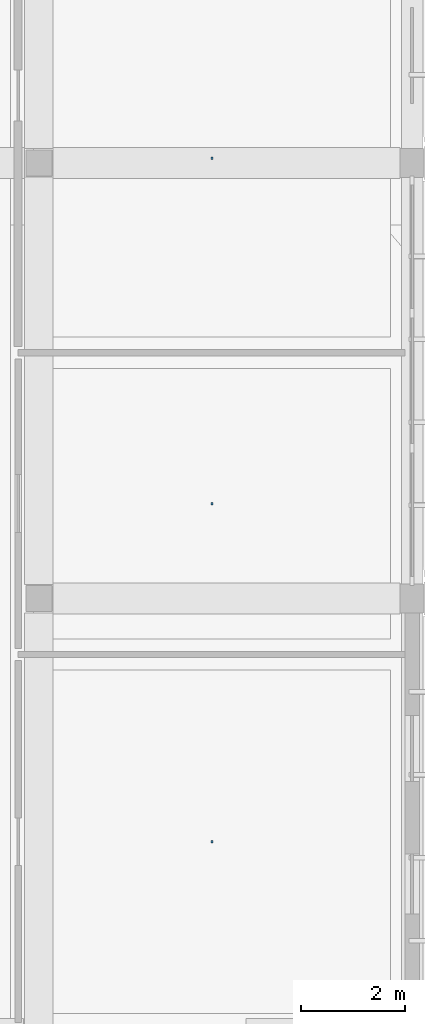
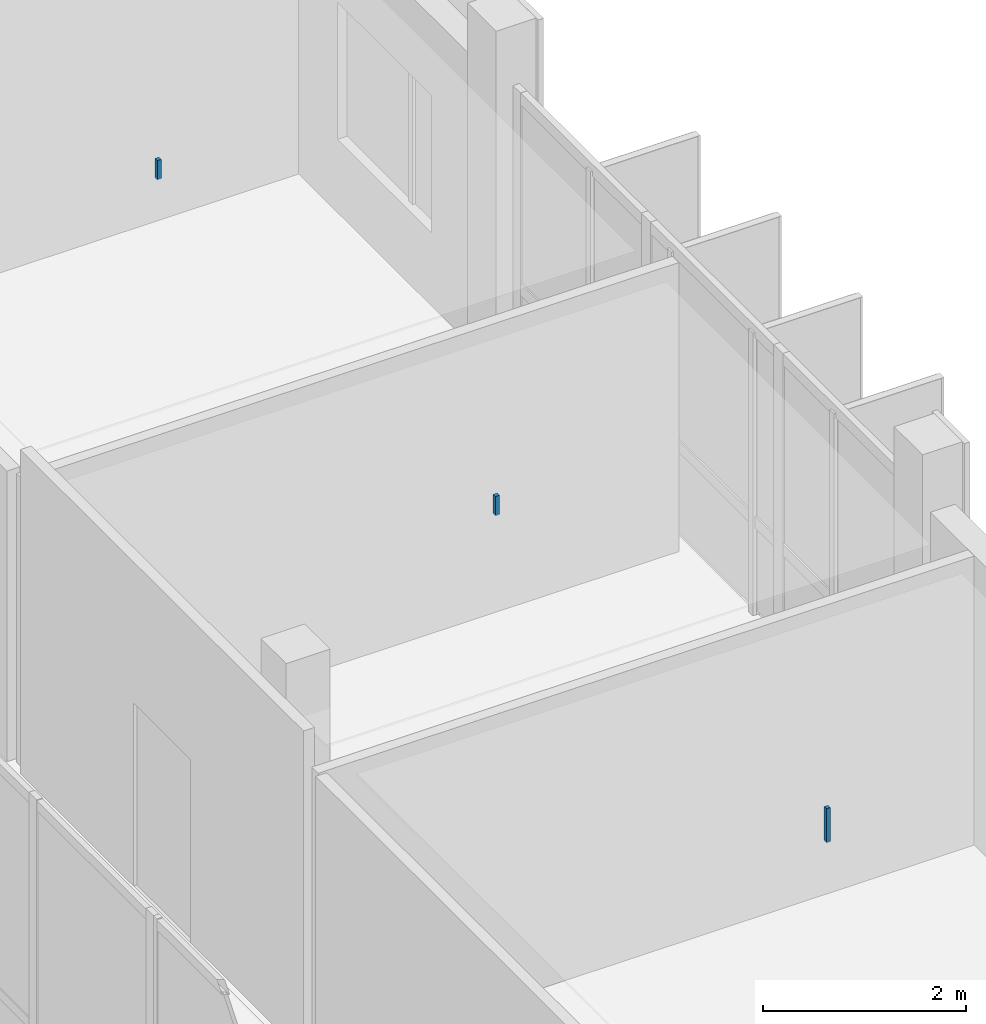
# One storey, part 69 of 85: 3 discrete accessories.
"""IFC4 building model written with IfcOpenShell, lengths in metres."""

from ifc_helpers import new_model, si_unit, derived_unit, direction, frame, origin, origin_2d, place, context, subcontext, project, spatial, rectangle, extrude, material, type_object, element, save


model = new_model("IFC4")

# Units and contexts
model_context = context("Model", 3, precision=1e-05, world=origin(), true_north=direction((0.0, 1.0)))
body_context = subcontext(model_context, "Body", "Model", "MODEL_VIEW")
ifc_project = project(units=[si_unit("LENGTHUNIT", "METRE"), si_unit("AREAUNIT", "SQUARE_METRE"), si_unit("VOLUMEUNIT", "CUBIC_METRE"), si_unit("PLANEANGLEUNIT", "RADIAN"), si_unit("MASSUNIT", "GRAM", prefix="KILO"), derived_unit("THERMALTRANSMITTANCEUNIT", [(si_unit("POWERUNIT", "WATT"), 1), (si_unit("LENGTHUNIT", "METRE"), -2), (si_unit("THERMODYNAMICTEMPERATUREUNIT", "KELVIN"), -1)])], contexts=[model_context])

# Site, building, storey
site_placement = place(None, origin())
site = spatial("IfcSite", under=ifc_project, at=site_placement, CompositionType="ELEMENT")
building_placement = place(site_placement, origin())
building = spatial("IfcBuilding", under=site, at=building_placement, Name="Braskholm Square Health Centre", CompositionType="ELEMENT")
storey_placement = place(building_placement, frame((0.0, 0.0, 9.300048828125)))
storey = spatial("IfcBuildingStorey", under=building, at=storey_placement, Name="L03", CompositionType="ELEMENT", Elevation=9.300048828125)

# Discrete accessories
ifc_material = material(Name="Steel ASTM A500 Grade C", Category="steel")
discrete_accessory_type = type_object("IfcDiscreteAccessoryType", Name="CeilingSuspensionBracket", PredefinedType="BRACKET", material=ifc_material)
discrete_accessory_placement = place(storey_placement, frame((159.93994140625, 67.510009765625, 3.501953125), z_axis=(0.0, 0.0, 1.0), x_axis=(1.0, 0.0, 0.0)))
element("IfcDiscreteAccessory", 1, at=discrete_accessory_placement, inside=storey, type_object=discrete_accessory_type, Name="Ceiling hanger bracket 0157", PredefinedType="BRACKET", context=body_context, shape_type="SweptSolid", body=[
    extrude(rectangle(XDim=0.044921875, YDim=0.044921875, at=origin_2d()), origin(), (0.0, 0.0, 1.0), 0.409912109375),
])
for number, where, z_axis, x_axis, name in (
    (2, (159.93994140625, 74.030029296875, 3.48193359375), (0.0, 0.0, 1.0), (1.0, 0.0, 0.0), "Ceiling hanger bracket 0158"),
    (3, (159.93994140625, 80.68994140625, 3.48193359375), (0.0, 0.0, 1.0), (1.0, 0.0, 0.0), "Ceiling hanger bracket 0159"),
):
    element("IfcDiscreteAccessory", number, at=place(storey_placement, frame(where, z_axis=z_axis, x_axis=x_axis)), inside=storey, type_object=discrete_accessory_type, Name=name, PredefinedType="BRACKET", context=body_context, shape_type="SweptSolid", body=[
        extrude(rectangle(XDim=0.044921875, YDim=0.044921875, at=origin_2d()), origin(), (0.0, 0.0, 1.0), 0.22998046875),
    ])

save(model, "model.ifc")
